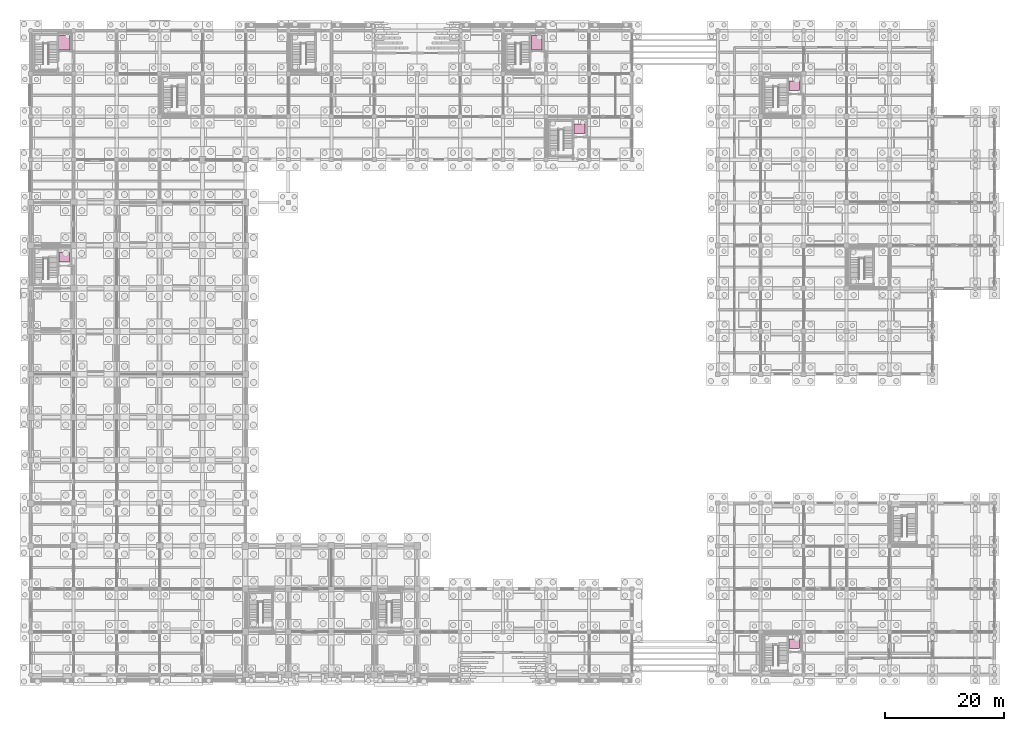
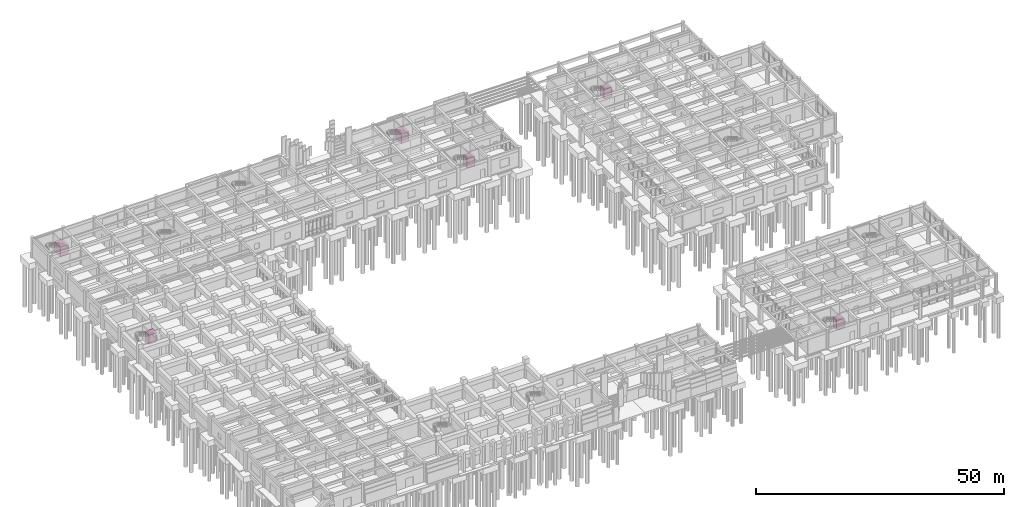
# One storey, part 79 of 79: 6 transport elements.
"""IFC4 building model written with IfcOpenShell, lengths in metres."""

from ifc_helpers import new_model, si_unit, direction, frame, origin, origin_2d, place, context, subcontext, project, spatial, rectangle, extrude, material, type_object, element, save


model = new_model("IFC4")

# Units and contexts
model_context = context("Model", 3, precision=1e-05, world=origin(), true_north=direction((0.0, 1.0)))
body_context = subcontext(model_context, "Body", "Model", "MODEL_VIEW")
ifc_project = project(units=[si_unit("LENGTHUNIT", "METRE"), si_unit("AREAUNIT", "SQUARE_METRE"), si_unit("VOLUMEUNIT", "CUBIC_METRE"), si_unit("PLANEANGLEUNIT", "RADIAN"), si_unit("MASSUNIT", "GRAM", prefix="KILO")], contexts=[model_context])

# Site, building, storey
site_placement = place(None, origin())
site = spatial("IfcSite", under=ifc_project, at=site_placement, CompositionType="ELEMENT")
building_placement = place(site_placement, origin())
building = spatial("IfcBuilding", under=site, at=building_placement, Name="Kavelor Marine Aquarium", CompositionType="ELEMENT")
storey_placement = place(building_placement, origin())
storey = spatial("IfcBuildingStorey", under=building, at=storey_placement, Name="L00", CompositionType="ELEMENT", Elevation=0.0)

# Transport elements
ifc_material_1 = material(Name="Fire-Rated Stainless Steel Stretcher and Firefighting Lift Car", Category="steel")
transport_element_type_1 = type_object("IfcTransportElementType", Name="LFT-FF", PredefinedType="ELEVATOR", material=ifc_material_1)
transport_element_1_placement = place(storey_placement, frame((88.030029296875, 108.800048828125, 0.0), z_axis=(0.0, 0.0, 1.0), x_axis=(1.0, 0.0, 0.0)))
element("IfcTransportElement", 1, at=transport_element_1_placement, inside=storey, type_object=transport_element_type_1, Name="Elevator FL1", PredefinedType="ELEVATOR", context=body_context, shape_type="SweptSolid", body=[
    extrude(rectangle(XDim=1.800048828125, YDim=2.39990234375, at=origin_2d()), origin(), (0.0, 0.0, 1.0), 2.35009765625),
])
ifc_material_2 = material(Name="Heavy-Duty Marine Stainless Steel Husbandry Goods Lift Car", Category="steel")
transport_element_type_2 = type_object("IfcTransportElementType", Name="LFT-GDS", PredefinedType="ELEVATOR", material=ifc_material_2)
transport_element_2_placement = place(storey_placement, frame((8.830078125, 108.800048828125, 0.0), z_axis=(0.0, 0.0, 1.0), x_axis=(1.0, 0.0, 0.0)))
element("IfcTransportElement", 2, at=transport_element_2_placement, inside=storey, type_object=transport_element_type_2, Name="Elevator GL1", PredefinedType="ELEVATOR", context=body_context, shape_type="SweptSolid", body=[
    extrude(rectangle(XDim=1.89990234375, YDim=2.39990234375, at=origin_2d()), origin(), (0.0, 0.0, 1.0), 2.35009765625),
])
ifc_material_3 = material(Name="Brushed Stainless Steel Passenger Lift Car", Category="steel")
transport_element_type_3 = type_object("IfcTransportElementType", Name="LFT-PAX", PredefinedType="ELEVATOR", material=ifc_material_3)
for number, where, z_axis, x_axis, name in (
    (3, (8.830078125, 72.800048828125, 0.0), (0.0, 0.0, 1.0), (1.0, 0.0, 0.0), "Elevator EL1"),
    (4, (95.22998046875, 94.39990234375, 0.0), (0.0, 0.0, 1.0), (1.0, 0.0, 0.0), "Elevator EL2"),
    (5, (131.22998046875, 8.0, 0.0), (0.0, 0.0, 1.0), (1.0, 0.0, 0.0), "Elevator EL4"),
    (6, (131.22998046875, 101.60009765625, 0.0), (0.0, 0.0, 1.0), (1.0, 0.0, 0.0), "Elevator EL3"),
):
    element("IfcTransportElement", number, at=place(storey_placement, frame(where, z_axis=z_axis, x_axis=x_axis)), inside=storey, type_object=transport_element_type_3, Name=name, PredefinedType="ELEVATOR", context=body_context, shape_type="SweptSolid", body=[
        extrude(rectangle(XDim=1.800048828125, YDim=1.60009765625, at=origin_2d()), origin(), (0.0, 0.0, 1.0), 2.35009765625),
    ])

save(model, "model.ifc")
